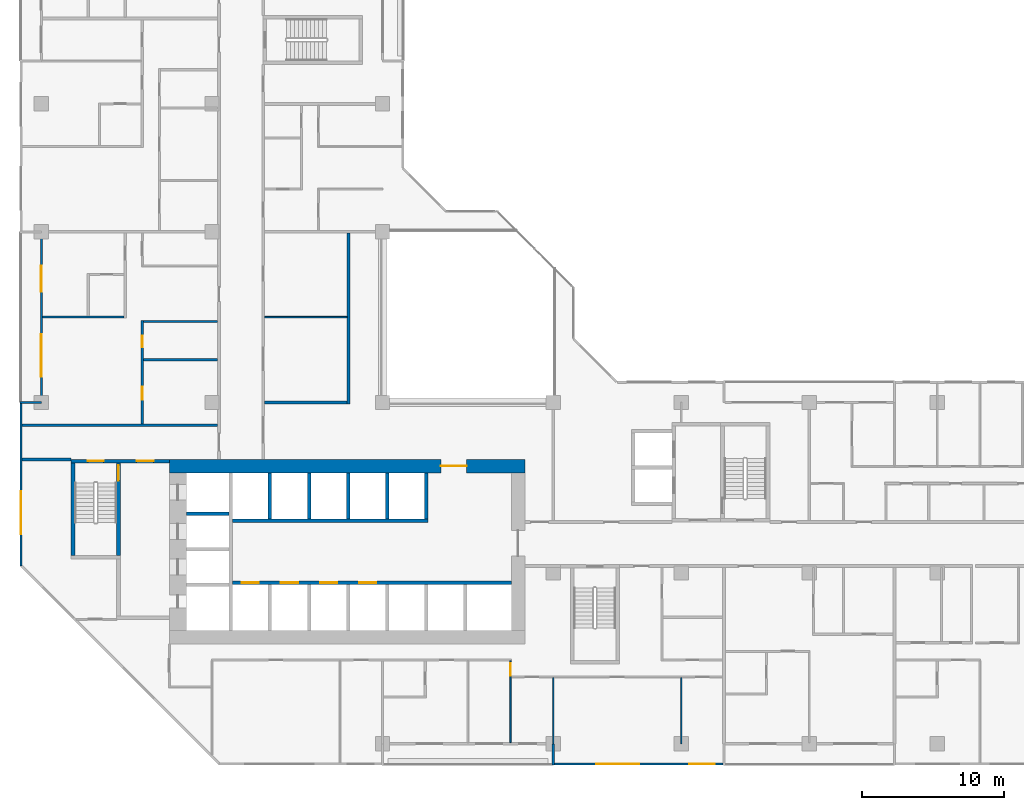
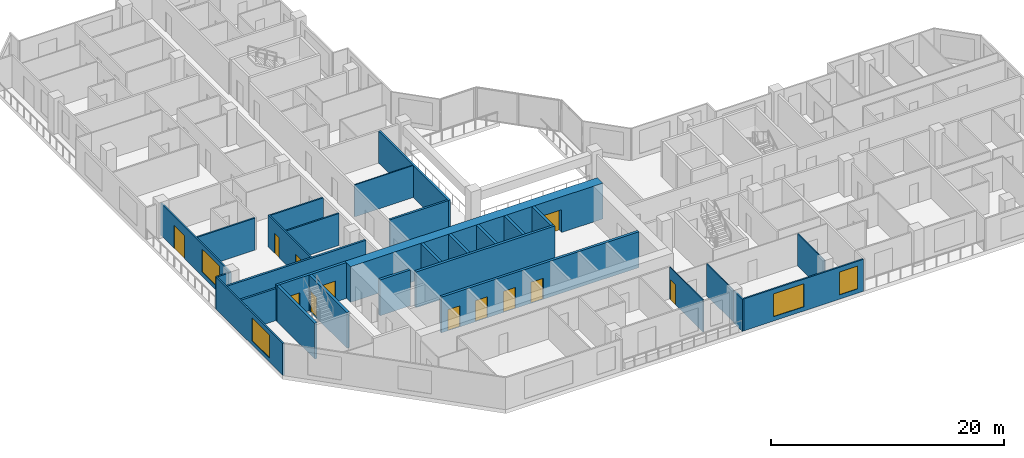
# One storey, part 5 of 15: 29 walls, 12 doors, 4 windows, 16 openings.
"""IFC4 building model written with IfcOpenShell, lengths in metres."""

from ifc_helpers import new_model, si_unit, direction, frame, frame_2d, origin, place, context, subcontext, project, spatial, rectangle, extrude, material, layer, layer_set, type_object, element, fill, save


model = new_model("IFC4")

# Units and contexts
model_context = context("Model", 3, precision=1e-05, world=origin(), true_north=direction((0.0, 1.0)))
body_context = subcontext(model_context, "Body", "Model", "MODEL_VIEW")
ifc_project = project(units=[si_unit("LENGTHUNIT", "METRE"), si_unit("AREAUNIT", "SQUARE_METRE"), si_unit("VOLUMEUNIT", "CUBIC_METRE"), si_unit("PLANEANGLEUNIT", "RADIAN"), si_unit("MASSUNIT", "GRAM", prefix="KILO")], contexts=[model_context])

# Site, building, storey
site_placement = place(None, origin())
site = spatial("IfcSite", under=ifc_project, at=site_placement, CompositionType="ELEMENT")
building_placement = place(site_placement, origin())
building = spatial("IfcBuilding", under=site, at=building_placement, Name="Chenar Terraces", CompositionType="ELEMENT")
storey_placement = place(building_placement, frame((0.0, 0.0, 95.64990234375)))
storey = spatial("IfcBuildingStorey", under=building, at=storey_placement, Name="L21", CompositionType="ELEMENT", Elevation=95.64990234375)

# Wall, openings, doors
ifc_material_1 = material(Name="Concrete C70/85", Category="concrete")
ifc_layer_1 = layer(ifc_material_1, 0.25)
ifc_layer_set_1 = layer_set([ifc_layer_1], Name="Concrete C70/85")
wall_type_1 = type_object("IfcWallType", Name="Core wall 250 Concrete C70/85", PredefinedType="SHEAR", material=ifc_layer_set_1)
wall_1_placement = place(storey_placement, frame((13.449951171875, 11.324951171875, 0.0), z_axis=(0.0, 0.0, 1.0), x_axis=(1.0, 0.0, 0.0)))
wall_1 = element("IfcWall", 1, at=wall_1_placement, inside=storey, type_object=wall_type_1, Name="Core wall SF L21", PredefinedType="SHEAR", context=body_context, shape_type="SweptSolid", body=[
    extrude(rectangle(XDim=19.60009765625, YDim=0.25, at=frame_2d((9.800048828125, 0.0))), origin(), (0.0, 0.0, 1.0), 3.75),
])
opening_1_placement = place(wall_1_placement, frame((0.64990234375, 0.0, 0.0)))
opening_1 = element("IfcOpeningElement", 2, at=opening_1_placement, cuts=wall_1, Name="Opening DL21-LD1", PredefinedType="OPENING", context=body_context, shape_type="SweptSolid", body=[
    extrude(rectangle(XDim=1.199951171875, YDim=2.199951171875, at=frame_2d((0.60009765625, 1.10009765625))), frame((0.0, 0.135009765625, 0.0), z_axis=(0.0, -1.0, 0.0), x_axis=(1.0, 0.0, 0.0)), (0.0, 0.0, 1.0), 0.27001953125),
])
opening_2_placement = place(wall_1_placement, frame((3.39990234375, 0.0, 0.0)))
opening_2 = element("IfcOpeningElement", 3, at=opening_2_placement, cuts=wall_1, Name="Opening DL21-LD2", PredefinedType="OPENING", context=body_context, shape_type="SweptSolid", body=[
    extrude(rectangle(XDim=1.199951171875, YDim=2.199951171875, at=frame_2d((0.60009765625, 1.10009765625))), frame((0.0, 0.135009765625, 0.0), z_axis=(0.0, -1.0, 0.0), x_axis=(1.0, 0.0, 0.0)), (0.0, 0.0, 1.0), 0.27001953125),
])
opening_3_placement = place(wall_1_placement, frame((6.14990234375, 0.0, 0.0)))
opening_3 = element("IfcOpeningElement", 4, at=opening_3_placement, cuts=wall_1, Name="Opening DL21-LD3", PredefinedType="OPENING", context=body_context, shape_type="SweptSolid", body=[
    extrude(rectangle(XDim=1.199951171875, YDim=2.199951171875, at=frame_2d((0.60009765625, 1.10009765625))), frame((0.0, 0.135009765625, 0.0), z_axis=(0.0, -1.0, 0.0), x_axis=(1.0, 0.0, 0.0)), (0.0, 0.0, 1.0), 0.27001953125),
])
opening_4_placement = place(wall_1_placement, frame((8.89990234375, 0.0, 0.0)))
opening_4 = element("IfcOpeningElement", 5, at=opening_4_placement, cuts=wall_1, Name="Opening DL21-LD4", PredefinedType="OPENING", context=body_context, shape_type="SweptSolid", body=[
    extrude(rectangle(XDim=1.199951171875, YDim=2.199951171875, at=frame_2d((0.60009765625, 1.10009765625))), frame((0.0, 0.135009765625, 0.0), z_axis=(0.0, -1.0, 0.0), x_axis=(1.0, 0.0, 0.0)), (0.0, 0.0, 1.0), 0.27001953125),
])
ifc_material_2 = material(Name="Stainless steel", Category="steel")
door_type_1 = type_object("IfcDoorType", Name="Lift landing door 1200 x 2200 sliding", OperationType="DOUBLE_DOOR_SLIDING", PredefinedType="DOOR", material=ifc_material_2)
door_1_placement = place(opening_1_placement, origin())
door_1 = element("IfcDoor", 6, at=door_1_placement, inside=storey, type_object=door_type_1, Name="Landing door L1", OperationType="DOUBLE_DOOR_SLIDING", OverallHeight=2.199951171875, OverallWidth=1.199951171875, PredefinedType="DOOR", context=body_context, shape_type="SweptSolid", body=[
    extrude(rectangle(XDim=1.199951171875, YDim=2.199951171875, at=frame_2d((0.60009765625, 1.10009765625))), frame((0.0, 0.02490234375, 0.0), z_axis=(0.0, -1.0, 0.0), x_axis=(1.0, 0.0, 0.0)), (0.0, 0.0, 1.0), 0.050048828125),
])
fill(opening_1, door_1)
door_2_placement = place(opening_2_placement, origin())
door_2 = element("IfcDoor", 7, at=door_2_placement, inside=storey, type_object=door_type_1, Name="Landing door L2", OperationType="DOUBLE_DOOR_SLIDING", OverallHeight=2.199951171875, OverallWidth=1.199951171875, PredefinedType="DOOR", context=body_context, shape_type="SweptSolid", body=[
    extrude(rectangle(XDim=1.199951171875, YDim=2.199951171875, at=frame_2d((0.60009765625, 1.10009765625))), frame((0.0, 0.02490234375, 0.0), z_axis=(0.0, -1.0, 0.0), x_axis=(1.0, 0.0, 0.0)), (0.0, 0.0, 1.0), 0.050048828125),
])
fill(opening_2, door_2)
door_3_placement = place(opening_3_placement, origin())
door_3 = element("IfcDoor", 8, at=door_3_placement, inside=storey, type_object=door_type_1, Name="Landing door L3", OperationType="DOUBLE_DOOR_SLIDING", OverallHeight=2.199951171875, OverallWidth=1.199951171875, PredefinedType="DOOR", context=body_context, shape_type="SweptSolid", body=[
    extrude(rectangle(XDim=1.199951171875, YDim=2.199951171875, at=frame_2d((0.60009765625, 1.10009765625))), frame((0.0, 0.02490234375, 0.0), z_axis=(0.0, -1.0, 0.0), x_axis=(1.0, 0.0, 0.0)), (0.0, 0.0, 1.0), 0.050048828125),
])
fill(opening_3, door_3)
door_4_placement = place(opening_4_placement, origin())
door_4 = element("IfcDoor", 9, at=door_4_placement, inside=storey, type_object=door_type_1, Name="Landing door L4", OperationType="DOUBLE_DOOR_SLIDING", OverallHeight=2.199951171875, OverallWidth=1.199951171875, PredefinedType="DOOR", context=body_context, shape_type="SweptSolid", body=[
    extrude(rectangle(XDim=1.199951171875, YDim=2.199951171875, at=frame_2d((0.60009765625, 1.10009765625))), frame((0.0, 0.02490234375, 0.0), z_axis=(0.0, -1.0, 0.0), x_axis=(1.0, 0.0, 0.0)), (0.0, 0.0, 1.0), 0.050048828125),
])
fill(opening_4, door_4)

# Walls
wall_2_placement = place(storey_placement, frame((13.449951171875, 15.675048828125, 0.0), z_axis=(0.0, 0.0, 1.0), x_axis=(1.0, 0.0, 0.0)))
element("IfcWall", 10, at=wall_2_placement, inside=storey, type_object=wall_type_1, Name="Core wall NF L21", PredefinedType="SHEAR", context=body_context, shape_type="SweptSolid", body=[
    extrude(rectangle(XDim=13.75, YDim=0.25, at=frame_2d((6.875, 0.0))), origin(), (0.0, 0.0, 1.0), 3.75),
])
wall_3_placement = place(storey_placement, frame((10.199951171875, 16.175048828125, 0.0), z_axis=(0.0, 0.0, 1.0), x_axis=(1.0, 0.0, 0.0)))
element("IfcWall", 11, at=wall_3_placement, inside=storey, type_object=wall_type_1, Name="Core wall HW2 L21", PredefinedType="SHEAR", context=body_context, shape_type="SweptSolid", body=[
    extrude(rectangle(XDim=3.0, YDim=0.25, at=frame_2d((1.5, 0.0))), origin(), (0.0, 0.0, 1.0), 3.75),
])
for number, where, z_axis, x_axis, name in (
    (12, (16.074951171875, 15.800048828125, 0.0), (0.0, 0.0, 1.0), (0.0, 1.0, 0.0), "Core wall NS0 L21"),
    (13, (18.824951171875, 15.800048828125, 0.0), (0.0, 0.0, 1.0), (0.0, 1.0, 0.0), "Core wall NS1 L21"),
    (14, (21.574951171875, 15.800048828125, 0.0), (0.0, 0.0, 1.0), (0.0, 1.0, 0.0), "Core wall NS2 L21"),
    (15, (24.324951171875, 15.800048828125, 0.0), (0.0, 0.0, 1.0), (0.0, 1.0, 0.0), "Core wall NS3 L21"),
    (16, (27.074951171875, 15.800048828125, 0.0), (0.0, 0.0, 1.0), (0.0, 1.0, 0.0), "Core wall NE L21"),
):
    element("IfcWall", number, at=place(storey_placement, frame(where, z_axis=z_axis, x_axis=x_axis)), inside=storey, type_object=wall_type_1, Name=name, PredefinedType="SHEAR", context=body_context, shape_type="SweptSolid", body=[
        extrude(rectangle(XDim=3.25, YDim=0.25, at=frame_2d((1.625, 0.0))), origin(), (0.0, 0.0, 1.0), 3.75),
    ])

# Wall, openings, doors
wall_4_placement = place(storey_placement, frame((2.10009765625, 19.875, 0.0), z_axis=(0.0, 0.0, 1.0), x_axis=(1.0, 0.0, 0.0)))
wall_4 = element("IfcWall", 17, at=wall_4_placement, inside=storey, type_object=wall_type_1, Name="Core wall A_N L21", PredefinedType="SHEAR", context=body_context, shape_type="SweptSolid", body=[
    extrude(rectangle(XDim=6.89990234375, YDim=0.25, at=frame_2d((3.449951171875, 0.0))), origin(), (0.0, 0.0, 1.0), 3.75),
])
opening_5_placement = place(wall_4_placement, frame((1.175048828125, 0.0, 0.0)))
opening_5 = element("IfcOpeningElement", 18, at=opening_5_placement, cuts=wall_4, Name="Opening DL21-C5", PredefinedType="OPENING", context=body_context, shape_type="SweptSolid", body=[
    extrude(rectangle(XDim=1.10009765625, YDim=2.199951171875, at=frame_2d((0.550048828125, 1.10009765625))), frame((0.0, 0.135009765625, 0.0), z_axis=(0.0, -1.0, 0.0), x_axis=(1.0, 0.0, 0.0)), (0.0, 0.0, 1.0), 0.27001953125),
])
opening_6_placement = place(wall_4_placement, frame((4.60009765625, 0.0, 0.0)))
opening_6 = element("IfcOpeningElement", 19, at=opening_6_placement, cuts=wall_4, Name="Opening DL21-C6", PredefinedType="OPENING", context=body_context, shape_type="SweptSolid", body=[
    extrude(rectangle(XDim=1.199951171875, YDim=2.199951171875, at=frame_2d((0.60009765625, 1.10009765625))), frame((0.0, 0.135009765625, 0.0), z_axis=(0.0, -1.0, 0.0), x_axis=(1.0, 0.0, 0.0)), (0.0, 0.0, 1.0), 0.27001953125),
])
ifc_material_3 = material(Name="Steel-framed fire-resisting door leaf", Category="steel")
door_type_2 = type_object("IfcDoorType", Name="Lobby fire door FD60 1200 x 2200", OperationType="SINGLE_SWING_LEFT", PredefinedType="DOOR", material=ifc_material_3)
door_5_placement = place(opening_6_placement, frame((1.199951171875, 0.0, 0.0), z_axis=(0.0, 0.0, 1.0), x_axis=(-1.0, 0.0, 0.0)))
door_5 = element("IfcDoor", 20, at=door_5_placement, inside=storey, type_object=door_type_2, Name="Core door DL21-C6", OperationType="SINGLE_SWING_LEFT", OverallHeight=2.199951171875, OverallWidth=1.199951171875, PredefinedType="DOOR", context=body_context, shape_type="SweptSolid", body=[
    extrude(rectangle(XDim=1.199951171875, YDim=2.199951171875, at=frame_2d((0.60009765625, 1.10009765625))), frame((0.0, 0.02490234375, 0.0), z_axis=(0.0, -1.0, 0.0), x_axis=(1.0, 0.0, 0.0)), (0.0, 0.0, 1.0), 0.050048828125),
])
fill(opening_6, door_5)
ifc_material_4 = material(Name="Steel-framed fire-resisting door leaf", Category="steel")
door_type_3 = type_object("IfcDoorType", Name="Stair fire door FD60 1100 x 2200", OperationType="SINGLE_SWING_LEFT", PredefinedType="DOOR", material=ifc_material_4)
door_6_placement = place(opening_5_placement, origin())
door_6 = element("IfcDoor", 21, at=door_6_placement, inside=storey, type_object=door_type_3, Name="Stair door DL21-C5", OperationType="SINGLE_SWING_LEFT", OverallHeight=2.199951171875, OverallWidth=1.10009765625, PredefinedType="DOOR", context=body_context, shape_type="SweptSolid", body=[
    extrude(rectangle(XDim=1.10009765625, YDim=2.199951171875, at=frame_2d((0.550048828125, 1.10009765625))), frame((0.0, 0.02490234375, 0.0), z_axis=(0.0, -1.0, 0.0), x_axis=(1.0, 0.0, 0.0)), (0.0, 0.0, 1.0), 0.050048828125),
])
fill(opening_5, door_6)

# Wall
wall_5_placement = place(storey_placement, frame((2.22509765625, 13.25, 0.0), z_axis=(0.0, 0.0, 1.0), x_axis=(0.0, 1.0, 0.0)))
element("IfcWall", 22, at=wall_5_placement, inside=storey, type_object=wall_type_1, Name="Core wall ST1_W L21", PredefinedType="SHEAR", context=body_context, shape_type="SweptSolid", body=[
    extrude(rectangle(XDim=6.5, YDim=0.25, at=frame_2d((3.25, 0.0))), origin(), (0.0, 0.0, 1.0), 3.75),
])

# Wall, opening, door
wall_6_placement = place(storey_placement, frame((5.425048828125, 13.25, 0.0), z_axis=(0.0, 0.0, 1.0), x_axis=(0.0, 1.0, 0.0)))
wall_6 = element("IfcWall", 23, at=wall_6_placement, inside=storey, type_object=wall_type_1, Name="Core wall ST1_E L21", PredefinedType="SHEAR", context=body_context, shape_type="SweptSolid", body=[
    extrude(rectangle(XDim=6.5, YDim=0.25, at=frame_2d((3.25, 0.0))), origin(), (0.0, 0.0, 1.0), 3.75),
])
opening_7_placement = place(wall_6_placement, frame((5.25, 0.0, 0.0)))
opening_7 = element("IfcOpeningElement", 24, at=opening_7_placement, cuts=wall_6, Name="Opening DL21-C3", PredefinedType="OPENING", context=body_context, shape_type="SweptSolid", body=[
    extrude(rectangle(XDim=1.10009765625, YDim=2.199951171875, at=frame_2d((0.550048828125, 1.10009765625))), frame((0.0, 0.135009765625, 0.0), z_axis=(0.0, -1.0, 0.0), x_axis=(1.0, 0.0, 0.0)), (0.0, 0.0, 1.0), 0.27001953125),
])
door_7_placement = place(opening_7_placement, origin())
door_7 = element("IfcDoor", 25, at=door_7_placement, inside=storey, type_object=door_type_3, Name="Stair door DL21-C3", OperationType="SINGLE_SWING_RIGHT", OverallHeight=2.199951171875, OverallWidth=1.10009765625, PredefinedType="DOOR", context=body_context, shape_type="SweptSolid", body=[
    extrude(rectangle(XDim=1.10009765625, YDim=2.199951171875, at=frame_2d((0.550048828125, 1.10009765625))), frame((0.0, 0.02490234375, 0.0), z_axis=(0.0, -1.0, 0.0), x_axis=(1.0, 0.0, 0.0)), (0.0, 0.0, 1.0), 0.050048828125),
])
fill(opening_7, door_7)

ifc_material_5 = material(Name="Concrete C70/85", Category="concrete")
ifc_layer_2 = layer(ifc_material_5, 0.949951171875)
ifc_layer_set_2 = layer_set([ifc_layer_2], Name="Concrete C70/85")
wall_type_2 = type_object("IfcWallType", Name="Core wall 950 Concrete C70/85", PredefinedType="SHEAR", material=ifc_layer_set_2)
wall_7_placement = place(storey_placement, frame((9.0, 19.52490234375, 0.0), z_axis=(0.0, 0.0, 1.0), x_axis=(1.0, 0.0, 0.0)))
wall_7 = element("IfcWall", 26, at=wall_7_placement, inside=storey, type_object=wall_type_2, Name="Core wall N L21", PredefinedType="SHEAR", context=body_context, shape_type="SweptSolid", body=[
    extrude(rectangle(XDim=25.0, YDim=0.949951171875, at=frame_2d((12.5, 0.0))), origin(), (0.0, 0.0, 1.0), 3.75),
])
opening_8_placement = place(wall_7_placement, frame((19.10009765625, 0.0, 0.0)))
opening_8 = element("IfcOpeningElement", 27, at=opening_8_placement, cuts=wall_7, Name="Opening DL21-C2", PredefinedType="OPENING", context=body_context, shape_type="SweptSolid", body=[
    extrude(rectangle(XDim=1.800048828125, YDim=2.39990234375, at=frame_2d((0.89990234375, 1.199951171875))), frame((0.0, 0.48486328125, 0.0), z_axis=(0.0, -1.0, 0.0), x_axis=(1.0, 0.0, 0.0)), (0.0, 0.0, 1.0), 0.969970703125),
])
ifc_material_6 = material(Name="Steel-framed fire-resisting door leaf", Category="steel")
door_type_4 = type_object("IfcDoorType", Name="Core entrance double fire door FD60 1800 x 2400", OperationType="DOUBLE_DOOR_SINGLE_SWING", PredefinedType="DOOR", material=ifc_material_6)
door_8_placement = place(opening_8_placement, frame((1.800048828125, 0.0, 0.0), z_axis=(0.0, 0.0, 1.0), x_axis=(-1.0, 0.0, 0.0)))
door_8 = element("IfcDoor", 28, at=door_8_placement, inside=storey, type_object=door_type_4, Name="Core door DL21-C2", OperationType="DOUBLE_DOOR_SINGLE_SWING", OverallHeight=2.39990234375, OverallWidth=1.800048828125, PredefinedType="DOOR", context=body_context, shape_type="SweptSolid", body=[
    extrude(rectangle(XDim=1.800048828125, YDim=2.39990234375, at=frame_2d((0.89990234375, 1.199951171875))), frame((0.0, 0.02490234375, 0.0), z_axis=(0.0, -1.0, 0.0), x_axis=(1.0, 0.0, 0.0)), (0.0, 0.0, 1.0), 0.050048828125),
])
fill(opening_8, door_8)

# Walls
ifc_material_7 = material(Name="Gypsum board on steel studs with fire boards", Category="steel")
ifc_layer_3 = layer(ifc_material_7, 0.199951171875)
ifc_layer_set_3 = layer_set([ifc_layer_3], Name="Gypsum board on steel studs with fire boards")
wall_type_3 = type_object("IfcWallType", Name="Corridor wall 200", PredefinedType="PARTITIONING", material=ifc_layer_set_3)
wall_8_placement = place(storey_placement, frame((-1.35009765625, 20.0, 0.0), z_axis=(0.0, 0.0, 1.0), x_axis=(1.0, 0.0, 0.0)))
element("IfcWall", 29, at=wall_8_placement, inside=storey, type_object=wall_type_3, Name="Partition L21-001", PredefinedType="PARTITIONING", context=body_context, shape_type="SweptSolid", body=[
    extrude(rectangle(XDim=3.4501953125, YDim=0.199951171875, at=frame_2d((1.72509765625, 0.0))), origin(), (0.0, 0.0, 1.0), 3.35009765625),
])
wall_9_placement = place(storey_placement, frame((-1.35009765625, 22.39990234375, 0.0), z_axis=(0.0, 0.0, 1.0), x_axis=(1.0, 0.0, 0.0)))
element("IfcWall", 30, at=wall_9_placement, inside=storey, type_object=wall_type_3, Name="Partition L21-002", PredefinedType="PARTITIONING", context=body_context, shape_type="SweptSolid", body=[
    extrude(rectangle(XDim=13.75, YDim=0.199951171875, at=frame_2d((6.875, 0.0))), origin(), (0.0, 0.0, 1.0), 3.35009765625),
])
wall_10_placement = place(storey_placement, frame((15.699951171875, 24.0, 0.0), z_axis=(0.0, 0.0, 1.0), x_axis=(1.0, 0.0, 0.0)))
element("IfcWall", 31, at=wall_10_placement, inside=storey, type_object=wall_type_3, Name="Partition L21-040", PredefinedType="PARTITIONING", context=body_context, shape_type="SweptSolid", body=[
    extrude(rectangle(XDim=5.800048828125, YDim=0.199951171875, at=frame_2d((2.89990234375, 0.0))), origin(), (0.0, 0.0, 1.0), 3.35009765625),
])
wall_11_placement = place(storey_placement, frame((21.60009765625, 23.89990234375, 0.0), z_axis=(0.0, 0.0, 1.0), x_axis=(0.0, 1.0, 0.0)))
element("IfcWall", 32, at=wall_11_placement, inside=storey, type_object=wall_type_3, Name="Partition L21-060", PredefinedType="PARTITIONING", context=body_context, shape_type="SweptSolid", body=[
    extrude(rectangle(XDim=12.0, YDim=0.199951171875, at=frame_2d((6.0, 0.0))), origin(), (0.0, 0.0, 1.0), 3.35009765625),
])

# Wall, opening, window
ifc_material_8 = material(Name="Aluminium framed glazing", Category="aluminium")
ifc_layer_4 = layer(ifc_material_8, 0.14990234375)
ifc_layer_set_4 = layer_set([ifc_layer_4], Name="Aluminium framed glazing")
wall_type_4 = type_object("IfcWallType", Name="Glazed flush facade wall 150", PredefinedType="SOLIDWALL", material=ifc_layer_set_4)
wall_12_placement = place(storey_placement, frame((-1.425048828125, 23.925048828125, 0.0), z_axis=(0.0, 0.0, 1.0), x_axis=(0.0, -1.0, 0.0)))
wall_12 = element("IfcWall", 33, at=wall_12_placement, inside=storey, type_object=wall_type_4, Name="Glazed flush facade wall", PredefinedType="SOLIDWALL", context=body_context, shape_type="SweptSolid", body=[
    extrude(rectangle(XDim=11.425048828125, YDim=0.14990234375, at=frame_2d((5.71240234375, 0.0))), origin(), (0.0, 0.0, 1.0), 3.35009765625),
])
opening_9_placement = place(wall_12_placement, frame((6.175048828125, 0.0, 0.449951171875)))
opening_9 = element("IfcOpeningElement", 34, at=opening_9_placement, cuts=wall_12, Name="Opening W300x240", PredefinedType="OPENING", context=body_context, shape_type="SweptSolid", body=[
    extrude(rectangle(XDim=3.0, YDim=2.39990234375, at=frame_2d((1.5, 1.199951171875))), frame((0.0, 0.0849609375, 0.0), z_axis=(0.0, -1.0, 0.0), x_axis=(1.0, 0.0, 0.0)), (0.0, 0.0, 1.0), 0.169921875),
])
ifc_material_9 = material(Name="Low emissivity double glazing, aluminium frame", Category="aluminium")
window_type_1 = type_object("IfcWindowType", Name="Fixed light 3000 x 2400", PartitioningType="SINGLE_PANEL", PredefinedType="WINDOW", material=ifc_material_9)
window_1_placement = place(opening_9_placement, origin())
window_1 = element("IfcWindow", 35, at=window_1_placement, inside=storey, type_object=window_type_1, Name="Window", OverallHeight=2.39990234375, OverallWidth=3.0, PartitioningType="SINGLE_PANEL", PredefinedType="WINDOW", context=body_context, shape_type="SweptSolid", body=[
    extrude(rectangle(XDim=3.0, YDim=2.39990234375, at=frame_2d((1.5, 1.199951171875))), frame((0.0, 0.030029296875, 0.0), z_axis=(0.0, -1.0, 0.0), x_axis=(1.0, 0.0, 0.0)), (0.0, 0.0, 1.0), 0.06005859375),
])
fill(opening_9, window_1)

# Wall, openings, windows
wall_13_placement = place(storey_placement, frame((36.074951171875, -1.425048828125, 0.0), z_axis=(0.0, 0.0, 1.0), x_axis=(1.0, 0.0, 0.0)))
wall_13 = element("IfcWall", 36, at=wall_13_placement, inside=storey, type_object=wall_type_4, Name="Glazed flush facade wall", PredefinedType="SOLIDWALL", context=body_context, shape_type="SweptSolid", body=[
    extrude(rectangle(XDim=11.85009765625, YDim=0.14990234375, at=frame_2d((5.925048828125, 0.0))), origin(), (0.0, 0.0, 1.0), 3.35009765625),
])
opening_10_placement = place(wall_13_placement, frame((2.96240234375, 0.0, 0.449951171875)))
opening_10 = element("IfcOpeningElement", 37, at=opening_10_placement, cuts=wall_13, Name="Opening W300x240", PredefinedType="OPENING", context=body_context, shape_type="SweptSolid", body=[
    extrude(rectangle(XDim=3.0, YDim=2.39990234375, at=frame_2d((1.5, 1.199951171875))), frame((0.0, 0.0849609375, 0.0), z_axis=(0.0, -1.0, 0.0), x_axis=(1.0, 0.0, 0.0)), (0.0, 0.0, 1.0), 0.169921875),
])
opening_11_placement = place(wall_13_placement, frame((9.487548828125, 0.0, 0.449951171875)))
opening_11 = element("IfcOpeningElement", 38, at=opening_11_placement, cuts=wall_13, Name="Opening W180x240", PredefinedType="OPENING", context=body_context, shape_type="SweptSolid", body=[
    extrude(rectangle(XDim=1.800048828125, YDim=2.39990234375, at=frame_2d((0.89990234375, 1.199951171875))), frame((0.0, 0.0849609375, 0.0), z_axis=(0.0, -1.0, 0.0), x_axis=(1.0, 0.0, 0.0)), (0.0, 0.0, 1.0), 0.169921875),
])
ifc_material_10 = material(Name="Low emissivity double glazing, aluminium frame", Category="aluminium")
window_type_2 = type_object("IfcWindowType", Name="Fixed light 1800 x 2400", PartitioningType="SINGLE_PANEL", PredefinedType="WINDOW", material=ifc_material_10)
window_2_placement = place(opening_11_placement, origin())
window_2 = element("IfcWindow", 39, at=window_2_placement, inside=storey, type_object=window_type_2, Name="Window", OverallHeight=2.39990234375, OverallWidth=1.800048828125, PartitioningType="SINGLE_PANEL", PredefinedType="WINDOW", context=body_context, shape_type="SweptSolid", body=[
    extrude(rectangle(XDim=1.800048828125, YDim=2.39990234375, at=frame_2d((0.89990234375, 1.199951171875))), frame((0.0, 0.030029296875, 0.0), z_axis=(0.0, -1.0, 0.0), x_axis=(1.0, 0.0, 0.0)), (0.0, 0.0, 1.0), 0.06005859375),
])
fill(opening_11, window_2)
window_3_placement = place(opening_10_placement, origin())
window_3 = element("IfcWindow", 40, at=window_3_placement, inside=storey, type_object=window_type_1, Name="Window", OverallHeight=2.39990234375, OverallWidth=3.0, PartitioningType="SINGLE_PANEL", PredefinedType="WINDOW", context=body_context, shape_type="SweptSolid", body=[
    extrude(rectangle(XDim=3.0, YDim=2.39990234375, at=frame_2d((1.5, 1.199951171875))), frame((0.0, 0.030029296875, 0.0), z_axis=(0.0, -1.0, 0.0), x_axis=(1.0, 0.0, 0.0)), (0.0, 0.0, 1.0), 0.06005859375),
])
fill(opening_10, window_3)

# Wall, openings, window, door
ifc_material_11 = material(Name="Aluminium framed glazing", Category="aluminium")
ifc_layer_5 = layer(ifc_material_11, 0.14990234375)
ifc_layer_set_5 = layer_set([ifc_layer_5], Name="Aluminium framed glazing")
wall_type_5 = type_object("IfcWallType", Name="Glazed loggia back wall 150", PredefinedType="SOLIDWALL", material=ifc_layer_set_5)
wall_14_placement = place(storey_placement, frame((0.0, 35.925048828125, 0.0), z_axis=(0.0, 0.0, 1.0), x_axis=(0.0, -1.0, 0.0)))
wall_14 = element("IfcWall", 41, at=wall_14_placement, inside=storey, type_object=wall_type_5, Name="Glazed loggia back wall", PredefinedType="SOLIDWALL", context=body_context, shape_type="SweptSolid", body=[
    extrude(rectangle(XDim=11.85009765625, YDim=0.14990234375, at=frame_2d((5.925048828125, 0.0))), origin(), (0.0, 0.0, 1.0), 3.35009765625),
])
opening_12_placement = place(wall_14_placement, frame((2.324951171875, 0.0, 0.0)))
opening_12 = element("IfcOpeningElement", 42, at=opening_12_placement, cuts=wall_14, Name="Opening DL21-G5", PredefinedType="OPENING", context=body_context, shape_type="SweptSolid", body=[
    extrude(rectangle(XDim=1.800048828125, YDim=2.39990234375, at=frame_2d((0.89990234375, 1.199951171875))), frame((0.0, 0.0849609375, 0.0), z_axis=(0.0, -1.0, 0.0), x_axis=(1.0, 0.0, 0.0)), (0.0, 0.0, 1.0), 0.169921875),
])
opening_13_placement = place(wall_14_placement, frame((7.125, 0.0, 0.449951171875)))
opening_13 = element("IfcOpeningElement", 43, at=opening_13_placement, cuts=wall_14, Name="Opening W300x240", PredefinedType="OPENING", context=body_context, shape_type="SweptSolid", body=[
    extrude(rectangle(XDim=3.0, YDim=2.39990234375, at=frame_2d((1.5, 1.199951171875))), frame((0.0, 0.0849609375, 0.0), z_axis=(0.0, -1.0, 0.0), x_axis=(1.0, 0.0, 0.0)), (0.0, 0.0, 1.0), 0.169921875),
])
window_4_placement = place(opening_13_placement, origin())
window_4 = element("IfcWindow", 44, at=window_4_placement, inside=storey, type_object=window_type_1, Name="Window", OverallHeight=2.39990234375, OverallWidth=3.0, PartitioningType="SINGLE_PANEL", PredefinedType="WINDOW", context=body_context, shape_type="SweptSolid", body=[
    extrude(rectangle(XDim=3.0, YDim=2.39990234375, at=frame_2d((1.5, 1.199951171875))), frame((0.0, 0.030029296875, 0.0), z_axis=(0.0, -1.0, 0.0), x_axis=(1.0, 0.0, 0.0)), (0.0, 0.0, 1.0), 0.06005859375),
])
fill(opening_13, window_4)
ifc_material_12 = material(Name="Low emissivity double glazing, aluminium frame", Category="aluminium")
door_type_5 = type_object("IfcDoorType", Name="Loggia glazed double door 1800 x 2400", OperationType="DOUBLE_DOOR_SINGLE_SWING", PredefinedType="DOOR", material=ifc_material_12)
door_9_placement = place(opening_12_placement, frame((1.800048828125, 0.0, 0.0), z_axis=(0.0, 0.0, 1.0), x_axis=(-1.0, 0.0, 0.0)))
door_9 = element("IfcDoor", 45, at=door_9_placement, inside=storey, type_object=door_type_5, Name="Loggia glazed door", OperationType="DOUBLE_DOOR_SINGLE_SWING", OverallHeight=2.39990234375, OverallWidth=1.800048828125, PredefinedType="DOOR", context=body_context, shape_type="SweptSolid", body=[
    extrude(rectangle(XDim=1.800048828125, YDim=2.39990234375, at=frame_2d((0.89990234375, 1.199951171875))), frame((0.0, 0.02490234375, 0.0), z_axis=(0.0, -1.0, 0.0), x_axis=(1.0, 0.0, 0.0)), (0.0, 0.0, 1.0), 0.050048828125),
])
fill(opening_12, door_9)

# Wall
ifc_material_13 = material(Name="Gypsum board on steel studs", Category="steel")
ifc_layer_6 = layer(ifc_material_13, 0.10009765625)
ifc_layer_set_6 = layer_set([ifc_layer_6], Name="Gypsum board on steel studs")
wall_type_6 = type_object("IfcWallType", Name="Gypsum partition 100", PredefinedType="PARTITIONING", material=ifc_layer_set_6)
wall_15_placement = place(storey_placement, frame((15.699951171875, 30.0, 0.0), z_axis=(0.0, 0.0, 1.0), x_axis=(1.0, 0.0, 0.0)))
element("IfcWall", 46, at=wall_15_placement, inside=storey, type_object=wall_type_6, Name="Partition L21-041", PredefinedType="PARTITIONING", context=body_context, shape_type="SweptSolid", body=[
    extrude(rectangle(XDim=5.800048828125, YDim=0.10009765625, at=frame_2d((2.89990234375, 0.0))), origin(), (0.0, 0.0, 1.0), 3.35009765625),
])

# Wall, opening, door
wall_16_placement = place(storey_placement, frame((33.0, 0.073974609375, 0.0), z_axis=(0.0, 0.0, 1.0), x_axis=(0.0, 1.0, 0.0)))
wall_16 = element("IfcWall", 47, at=wall_16_placement, inside=storey, type_object=wall_type_6, Name="Partition L21-065", PredefinedType="PARTITIONING", context=body_context, shape_type="SweptSolid", body=[
    extrude(rectangle(XDim=5.7509765625, YDim=0.10009765625, at=frame_2d((2.87548828125, 0.0))), origin(), (0.0, 0.0, 1.0), 3.35009765625),
])
opening_14_placement = place(wall_16_placement, frame((4.700927734375, 0.0, 0.0)))
opening_14 = element("IfcOpeningElement", 48, at=opening_14_placement, cuts=wall_16, Name="Opening DL21-56", PredefinedType="OPENING", context=body_context, shape_type="SweptSolid", body=[
    extrude(rectangle(XDim=0.89990234375, YDim=2.10009765625, at=frame_2d((0.449951171875, 1.050048828125))), frame((0.0, 0.06005859375, 0.0), z_axis=(0.0, -1.0, 0.0), x_axis=(1.0, 0.0, 0.0)), (0.0, 0.0, 1.0), 0.1201171875),
])
ifc_material_14 = material(Name="Veneered timber door leaf", Category="wood")
door_type_6 = type_object("IfcDoorType", Name="Door 900 x 2100", OperationType="SINGLE_SWING_LEFT", PredefinedType="DOOR", material=ifc_material_14)
door_10_placement = place(opening_14_placement, origin())
door_10 = element("IfcDoor", 49, at=door_10_placement, inside=storey, type_object=door_type_6, Name="Door DL21-56", OperationType="SINGLE_SWING_RIGHT", OverallHeight=2.10009765625, OverallWidth=0.89990234375, PredefinedType="DOOR", context=body_context, shape_type="SweptSolid", body=[
    extrude(rectangle(XDim=0.89990234375, YDim=2.10009765625, at=frame_2d((0.449951171875, 1.050048828125))), frame((0.0, 0.02490234375, 0.0), z_axis=(0.0, -1.0, 0.0), x_axis=(1.0, 0.0, 0.0)), (0.0, 0.0, 1.0), 0.050048828125),
])
fill(opening_14, door_10)

# Walls
for number, where, z_axis, x_axis, name in (
    (50, (36.0, 0.0, 0.0), (0.0, 0.0, 1.0), (0.0, 1.0, 0.0), "Partition L21-069"),
    (51, (45.0, 0.0, 0.0), (0.0, 0.0, 1.0), (0.0, 1.0, 0.0), "Partition L21-075"),
):
    element("IfcWall", number, at=place(storey_placement, frame(where, z_axis=z_axis, x_axis=x_axis)), inside=storey, type_object=wall_type_6, Name=name, PredefinedType="PARTITIONING", context=body_context, shape_type="SweptSolid", body=[
        extrude(rectangle(XDim=4.64990234375, YDim=0.10009765625, at=frame_2d((2.324951171875, 0.0))), origin(), (0.0, 0.0, 1.0), 3.35009765625),
    ])
ifc_material_15 = material(Name="Terracotta cladding on insulated backing", Category="masonry")
ifc_layer_7 = layer(ifc_material_15, 0.14990234375)
ifc_layer_set_7 = layer_set([ifc_layer_7], Name="Terracotta cladding on insulated backing")
wall_type_7 = type_object("IfcWallType", Name="Loggia return wall 150", PredefinedType="SOLIDWALL", material=ifc_layer_set_7)
for number, where, z_axis, x_axis, name in (
    (52, (-1.5, 24.0, 0.0), (0.0, 0.0, 1.0), (1.0, 0.0, 0.0), "Loggia return wall"),
    (53, (36.0, -1.5, 0.0), (0.0, 0.0, 1.0), (0.0, 1.0, 0.0), "Loggia return wall"),
):
    element("IfcWall", number, at=place(storey_placement, frame(where, z_axis=z_axis, x_axis=x_axis)), inside=storey, type_object=wall_type_7, Name=name, PredefinedType="SOLIDWALL", context=body_context, shape_type="SweptSolid", body=[
        extrude(rectangle(XDim=1.5, YDim=0.14990234375, at=frame_2d((0.75, 0.0))), origin(), (0.0, 0.0, 1.0), 3.35009765625),
    ])
ifc_material_16 = material(Name="Moisture-resistant gypsum board on steel studs", Category="steel")
ifc_layer_8 = layer(ifc_material_16, 0.14990234375)
ifc_layer_set_8 = layer_set([ifc_layer_8], Name="Moisture-resistant gypsum board on steel studs")
wall_type_8 = type_object("IfcWallType", Name="Wet-room partition 150", PredefinedType="PARTITIONING", material=ifc_layer_set_8)
wall_17_placement = place(storey_placement, frame((0.073974609375, 30.0, 0.0), z_axis=(0.0, 0.0, 1.0), x_axis=(1.0, 0.0, 0.0)))
element("IfcWall", 54, at=wall_17_placement, inside=storey, type_object=wall_type_8, Name="Partition L21-006", PredefinedType="PARTITIONING", context=body_context, shape_type="SweptSolid", body=[
    extrude(rectangle(XDim=5.7509765625, YDim=0.14990234375, at=frame_2d((2.87548828125, 0.0))), origin(), (0.0, 0.0, 1.0), 3.35009765625),
])

# Wall, openings, doors
wall_18_placement = place(storey_placement, frame((7.10009765625, 22.5, 0.0), z_axis=(0.0, 0.0, 1.0), x_axis=(0.0, 1.0, 0.0)))
wall_18 = element("IfcWall", 55, at=wall_18_placement, inside=storey, type_object=wall_type_8, Name="Partition L21-020", PredefinedType="PARTITIONING", context=body_context, shape_type="SweptSolid", body=[
    extrude(rectangle(XDim=7.27490234375, YDim=0.14990234375, at=frame_2d((3.637451171875, 0.0))), origin(), (0.0, 0.0, 1.0), 3.35009765625),
])
opening_15_placement = place(wall_18_placement, frame((5.39990234375, 0.0, 0.0)))
opening_15 = element("IfcOpeningElement", 56, at=opening_15_placement, cuts=wall_18, Name="Opening DL21-67", PredefinedType="OPENING", context=body_context, shape_type="SweptSolid", body=[
    extrude(rectangle(XDim=0.800048828125, YDim=2.10009765625, at=frame_2d((0.39990234375, 1.050048828125))), frame((0.0, 0.0849609375, 0.0), z_axis=(0.0, -1.0, 0.0), x_axis=(1.0, 0.0, 0.0)), (0.0, 0.0, 1.0), 0.169921875),
])
opening_16_placement = place(wall_18_placement, frame((1.699951171875, 0.0, 0.0)))
opening_16 = element("IfcOpeningElement", 57, at=opening_16_placement, cuts=wall_18, Name="Opening DL21-72", PredefinedType="OPENING", context=body_context, shape_type="SweptSolid", body=[
    extrude(rectangle(XDim=0.89990234375, YDim=2.10009765625, at=frame_2d((0.449951171875, 1.050048828125))), frame((0.0, 0.0849609375, 0.0), z_axis=(0.0, -1.0, 0.0), x_axis=(1.0, 0.0, 0.0)), (0.0, 0.0, 1.0), 0.169921875),
])
ifc_material_17 = material(Name="Veneered timber door leaf", Category="wood")
door_type_7 = type_object("IfcDoorType", Name="Door 800 x 2100", OperationType="SINGLE_SWING_LEFT", PredefinedType="DOOR", material=ifc_material_17)
door_11_placement = place(opening_15_placement, frame((0.800048828125, 0.0, 0.0), z_axis=(0.0, 0.0, 1.0), x_axis=(-1.0, 0.0, 0.0)))
door_11 = element("IfcDoor", 58, at=door_11_placement, inside=storey, type_object=door_type_7, Name="Door DL21-67", OperationType="SINGLE_SWING_RIGHT", OverallHeight=2.10009765625, OverallWidth=0.800048828125, PredefinedType="DOOR", context=body_context, shape_type="SweptSolid", body=[
    extrude(rectangle(XDim=0.800048828125, YDim=2.10009765625, at=frame_2d((0.39990234375, 1.050048828125))), frame((0.0, 0.02490234375, 0.0), z_axis=(0.0, -1.0, 0.0), x_axis=(1.0, 0.0, 0.0)), (0.0, 0.0, 1.0), 0.050048828125),
])
fill(opening_15, door_11)
door_12_placement = place(opening_16_placement, frame((0.89990234375, 0.0, 0.0), z_axis=(0.0, 0.0, 1.0), x_axis=(-1.0, 0.0, 0.0)))
door_12 = element("IfcDoor", 59, at=door_12_placement, inside=storey, type_object=door_type_6, Name="Door DL21-72", OperationType="SINGLE_SWING_RIGHT", OverallHeight=2.10009765625, OverallWidth=0.89990234375, PredefinedType="DOOR", context=body_context, shape_type="SweptSolid", body=[
    extrude(rectangle(XDim=0.89990234375, YDim=2.10009765625, at=frame_2d((0.449951171875, 1.050048828125))), frame((0.0, 0.02490234375, 0.0), z_axis=(0.0, -1.0, 0.0), x_axis=(1.0, 0.0, 0.0)), (0.0, 0.0, 1.0), 0.050048828125),
])
fill(opening_16, door_12)

# Walls
for number, where, z_axis, x_axis, name in (
    (60, (7.175048828125, 27.0, 0.0), (0.0, 0.0, 1.0), (1.0, 0.0, 0.0), "Partition L21-024"),
    (61, (7.175048828125, 29.699951171875, 0.0), (0.0, 0.0, 1.0), (1.0, 0.0, 0.0), "Partition L21-025"),
):
    element("IfcWall", number, at=place(storey_placement, frame(where, z_axis=z_axis, x_axis=x_axis)), inside=storey, type_object=wall_type_8, Name=name, PredefinedType="PARTITIONING", context=body_context, shape_type="SweptSolid", body=[
        extrude(rectangle(XDim=5.224853515625, YDim=0.14990234375, at=frame_2d((2.6123046875, 0.0))), origin(), (0.0, 0.0, 1.0), 3.35009765625),
    ])

save(model, "model.ifc")
